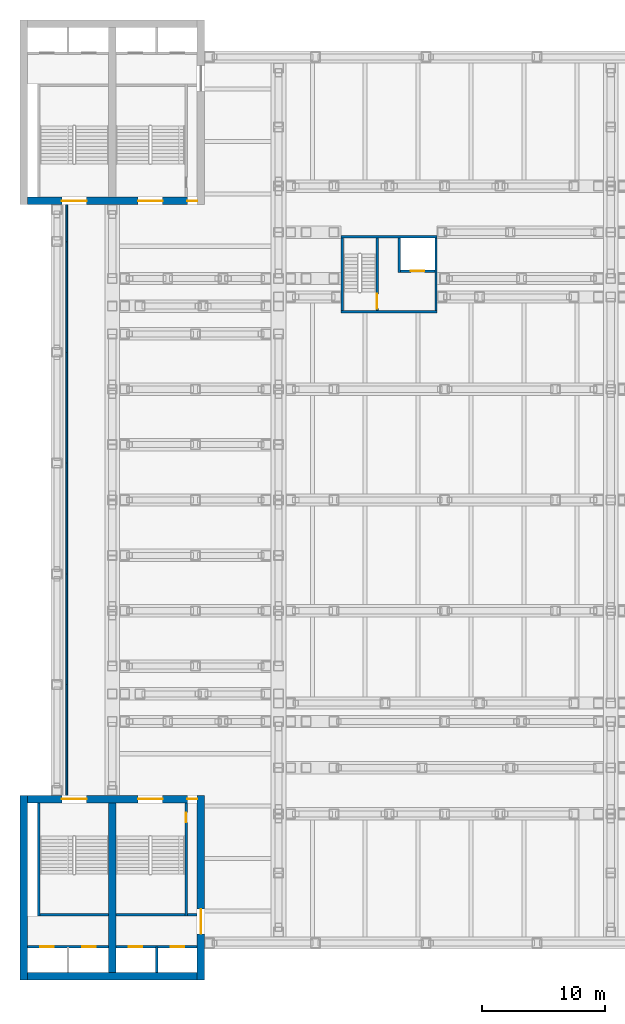
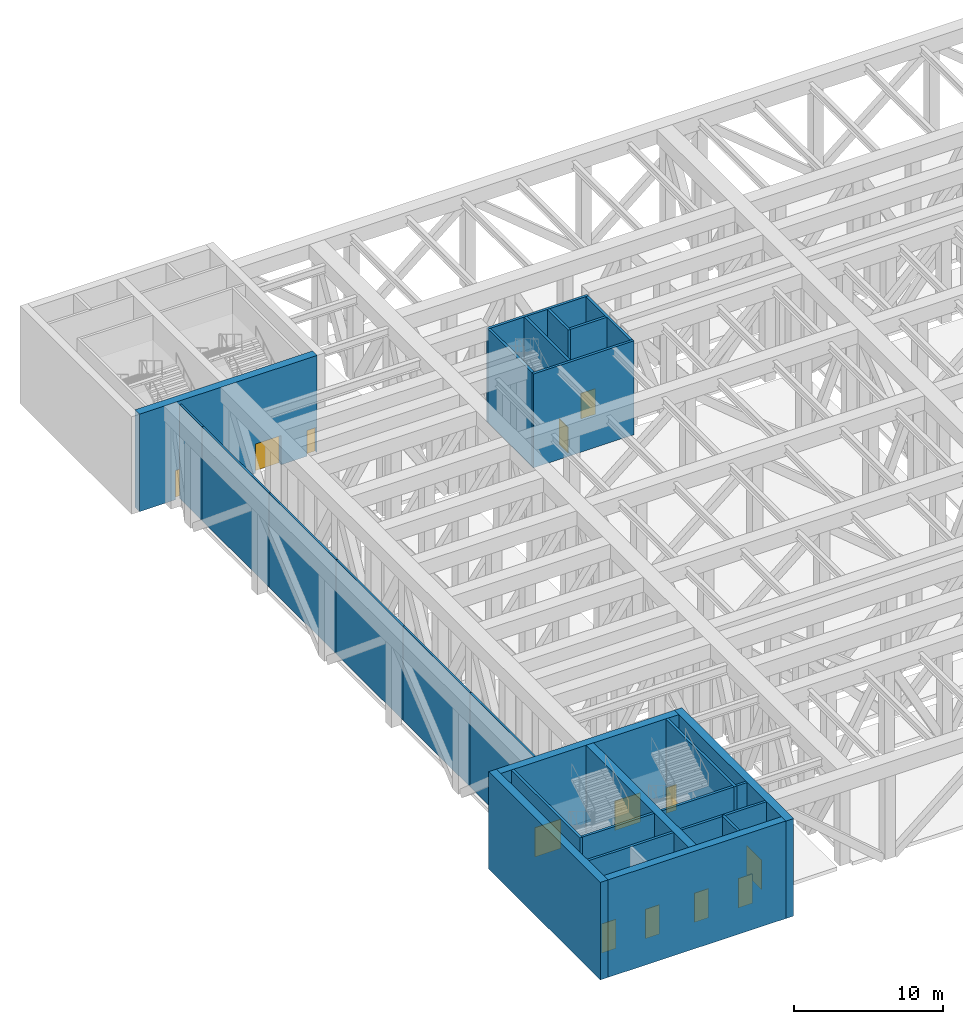
# One storey, part 8 of 20: 27 walls, 14 doors, 14 openings.
"""IFC4 building model written with IfcOpenShell, lengths in metres."""

from ifc_helpers import new_model, si_unit, direction, frame, frame_2d, origin, place, context, subcontext, project, spatial, rectangle, extrude, material, layer, layer_set, type_object, element, fill, save


model = new_model("IFC4")

# Units and contexts
model_context = context("Model", 3, precision=1e-05, world=origin(), true_north=direction((0.0, 1.0)))
body_context = subcontext(model_context, "Body", "Model", "MODEL_VIEW")
ifc_project = project(units=[si_unit("LENGTHUNIT", "METRE"), si_unit("AREAUNIT", "SQUARE_METRE"), si_unit("VOLUMEUNIT", "CUBIC_METRE"), si_unit("PLANEANGLEUNIT", "RADIAN"), si_unit("MASSUNIT", "GRAM", prefix="KILO")], contexts=[model_context])

# Site, building, storey
site_placement = place(None, origin())
site = spatial("IfcSite", under=ifc_project, at=site_placement, CompositionType="ELEMENT")
building_placement = place(site_placement, origin())
building = spatial("IfcBuilding", under=site, at=building_placement, Name="Corbelhall Arena Tower", CompositionType="ELEMENT")
storey_placement = place(building_placement, frame((0.0, 0.0, 44.0)))
storey = spatial("IfcBuildingStorey", under=building, at=storey_placement, Name="L06", CompositionType="ELEMENT", Elevation=44.0)

# Walls
ifc_material_1 = material(Name="Aluminium louvre panels on a steel frame", Category="steel")
ifc_layer_1 = layer(ifc_material_1, 0.14990234375)
ifc_layer_set_1 = layer_set([ifc_layer_1], Name="AR-PLANT-LOUVRE")
wall_type_1 = type_object("IfcWallType", Name="AR-PLANT-LOUVRE", PredefinedType="SOLIDWALL", material=ifc_layer_set_1)
for number, where, z_axis, x_axis, name in (
    (1, (-44.199951171875, -24.0, 0.0), (0.0, 0.0, 1.0), (0.0, 1.0, 0.0), "Plant louvre wall W1"),
    (2, (-44.199951171875, -15.0, 0.0), (0.0, 0.0, 1.0), (0.0, 1.0, 0.0), "Plant louvre wall W2"),
    (3, (-44.199951171875, -6.0, 0.0), (0.0, 0.0, 1.0), (0.0, 1.0, 0.0), "Plant louvre wall W3"),
    (4, (-44.199951171875, 3.0, 0.0), (0.0, 0.0, 1.0), (0.0, 1.0, 0.0), "Plant louvre wall W4"),
    (5, (-44.199951171875, 12.0, 0.0), (0.0, 0.0, 1.0), (0.0, 1.0, 0.0), "Plant louvre wall W5"),
):
    element("IfcWall", number, at=place(storey_placement, frame(where, z_axis=z_axis, x_axis=x_axis)), inside=storey, type_object=wall_type_1, Name=name, PredefinedType="SOLIDWALL", context=body_context, shape_type="SweptSolid", body=[
        extrude(rectangle(XDim=9.0, YDim=0.14990234375, at=frame_2d((4.5, 0.0))), origin(), (0.0, 0.0, 1.0), 7.699951171875),
    ])
wall_1_placement = place(storey_placement, frame((-44.199951171875, 21.0, 0.0), z_axis=(0.0, 0.0, 1.0), x_axis=(0.0, 1.0, 0.0)))
element("IfcWall", 6, at=wall_1_placement, inside=storey, type_object=wall_type_1, Name="Plant louvre wall W6", PredefinedType="SOLIDWALL", context=body_context, shape_type="SweptSolid", body=[
    extrude(rectangle(XDim=3.0, YDim=0.14990234375, at=frame_2d((1.5, 0.0))), origin(), (0.0, 0.0, 1.0), 7.699951171875),
])
ifc_material_2 = material(Name="Gypsum board on steel studs", Category="steel")
ifc_layer_2 = layer(ifc_material_2, 0.199951171875)
ifc_layer_set_2 = layer_set([ifc_layer_2], Name="AR-ROOM-WALL")
wall_type_2 = type_object("IfcWallType", Name="AR-ROOM-WALL", PredefinedType="PARTITIONING", material=ifc_layer_set_2)
wall_2_placement = place(storey_placement, frame((-34.409912109375, -33.699951171875, 0.0), z_axis=(0.0, 0.0, 1.0), x_axis=(1.0, 0.0, 0.0)))
element("IfcWall", 7, at=wall_2_placement, inside=storey, type_object=wall_type_2, Name="Mechanical plant room 04 wall", PredefinedType="PARTITIONING", context=body_context, shape_type="SweptSolid", body=[
    extrude(rectangle(XDim=0.809814453125, YDim=0.199951171875, at=frame_2d((0.40478515625, 0.0))), origin(), (0.0, 0.0, 1.0), 8.0),
])

# Wall, openings, doors
ifc_material_3 = material(Name="Reinforced concrete C40/50", Category="concrete")
ifc_layer_3 = layer(ifc_material_3, 0.199951171875)
ifc_layer_set_3 = layer_set([ifc_layer_3], Name="AR-SHAFT-WALL")
wall_type_3 = type_object("IfcWallType", Name="AR-SHAFT-WALL", PredefinedType="SHEAR", material=ifc_layer_set_3)
wall_3_placement = place(storey_placement, frame((-47.39990234375, -36.300048828125, 0.0), z_axis=(0.0, 0.0, 1.0), x_axis=(1.0, 0.0, 0.0)))
wall_3 = element("IfcWall", 8, at=wall_3_placement, inside=storey, type_object=wall_type_3, Name="Lift lobby wall SW", PredefinedType="SHEAR", context=body_context, shape_type="SweptSolid", body=[
    extrude(rectangle(XDim=6.599853515625, YDim=0.199951171875, at=frame_2d((3.2998046875, 0.0))), origin(), (0.0, 0.0, 1.0), 8.0),
])
opening_1_placement = place(wall_3_placement, frame((1.050048828125, 0.0, 0.0)))
opening_1 = element("IfcOpeningElement", 9, at=opening_1_placement, cuts=wall_3, Name="Opening LD0279", PredefinedType="OPENING", context=body_context, shape_type="SweptSolid", body=[
    extrude(rectangle(XDim=1.10009765625, YDim=2.39990234375, at=frame_2d((0.550048828125, 1.199951171875))), frame((0.0, 0.10009765625, 0.0), z_axis=(0.0, -1.0, 0.0), x_axis=(1.0, 0.0, 0.0)), (0.0, 0.0, 1.0), 0.199951171875),
])
opening_2_placement = place(wall_3_placement, frame((4.449951171875, 0.0, 0.0)))
opening_2 = element("IfcOpeningElement", 10, at=opening_2_placement, cuts=wall_3, Name="Opening LD0280", PredefinedType="OPENING", context=body_context, shape_type="SweptSolid", body=[
    extrude(rectangle(XDim=1.10009765625, YDim=2.39990234375, at=frame_2d((0.550048828125, 1.199951171875))), frame((0.0, 0.10009765625, 0.0), z_axis=(0.0, -1.0, 0.0), x_axis=(1.0, 0.0, 0.0)), (0.0, 0.0, 1.0), 0.199951171875),
])
ifc_material_4 = material(Name="Stainless steel A4", Category="steel")
door_type_1 = type_object("IfcDoorType", Name="AR-LANDING-DOOR", OperationType="DOUBLE_DOOR_SLIDING", PredefinedType="DOOR", material=ifc_material_4)
door_1_placement = place(opening_1_placement, frame((1.10009765625, 0.0, 0.0), z_axis=(0.0, 0.0, 1.0), x_axis=(-1.0, 0.0, 0.0)))
door_1 = element("IfcDoor", 11, at=door_1_placement, inside=storey, type_object=door_type_1, Name="Landing door SW LF3 L06", OperationType="DOUBLE_DOOR_SLIDING", OverallHeight=2.39990234375, OverallWidth=1.10009765625, PredefinedType="DOOR", context=body_context, shape_type="SweptSolid", body=[
    extrude(rectangle(XDim=1.10009765625, YDim=2.39990234375, at=frame_2d((0.550048828125, 1.199951171875))), frame((0.0, 0.02490234375, 0.0), z_axis=(0.0, -1.0, 0.0), x_axis=(1.0, 0.0, 0.0)), (0.0, 0.0, 1.0), 0.050048828125),
])
fill(opening_1, door_1)
door_2_placement = place(opening_2_placement, frame((1.10009765625, 0.0, 0.0), z_axis=(0.0, 0.0, 1.0), x_axis=(-1.0, 0.0, 0.0)))
door_2 = element("IfcDoor", 12, at=door_2_placement, inside=storey, type_object=door_type_1, Name="Landing door SW LF4 L06", OperationType="DOUBLE_DOOR_SLIDING", OverallHeight=2.39990234375, OverallWidth=1.10009765625, PredefinedType="DOOR", context=body_context, shape_type="SweptSolid", body=[
    extrude(rectangle(XDim=1.10009765625, YDim=2.39990234375, at=frame_2d((0.550048828125, 1.199951171875))), frame((0.0, 0.02490234375, 0.0), z_axis=(0.0, -1.0, 0.0), x_axis=(1.0, 0.0, 0.0)), (0.0, 0.0, 1.0), 0.050048828125),
])
fill(opening_2, door_2)

wall_4_placement = place(storey_placement, frame((-40.199951171875, -36.300048828125, 0.0), z_axis=(0.0, 0.0, 1.0), x_axis=(1.0, 0.0, 0.0)))
wall_4 = element("IfcWall", 13, at=wall_4_placement, inside=storey, type_object=wall_type_3, Name="Lift lobby wall SW", PredefinedType="SHEAR", context=body_context, shape_type="SweptSolid", body=[
    extrude(rectangle(XDim=6.599853515625, YDim=0.199951171875, at=frame_2d((3.2998046875, 0.0))), origin(), (0.0, 0.0, 1.0), 8.0),
])
opening_3_placement = place(wall_4_placement, frame((1.050048828125, 0.0, 0.0)))
opening_3 = element("IfcOpeningElement", 14, at=opening_3_placement, cuts=wall_4, Name="Opening LD0281", PredefinedType="OPENING", context=body_context, shape_type="SweptSolid", body=[
    extrude(rectangle(XDim=1.10009765625, YDim=2.39990234375, at=frame_2d((0.550048828125, 1.199951171875))), frame((0.0, 0.10009765625, 0.0), z_axis=(0.0, -1.0, 0.0), x_axis=(1.0, 0.0, 0.0)), (0.0, 0.0, 1.0), 0.199951171875),
])
opening_4_placement = place(wall_4_placement, frame((4.449951171875, 0.0, 0.0)))
opening_4 = element("IfcOpeningElement", 15, at=opening_4_placement, cuts=wall_4, Name="Opening LD0282", PredefinedType="OPENING", context=body_context, shape_type="SweptSolid", body=[
    extrude(rectangle(XDim=1.10009765625, YDim=2.39990234375, at=frame_2d((0.550048828125, 1.199951171875))), frame((0.0, 0.10009765625, 0.0), z_axis=(0.0, -1.0, 0.0), x_axis=(1.0, 0.0, 0.0)), (0.0, 0.0, 1.0), 0.199951171875),
])
door_3_placement = place(opening_3_placement, frame((1.10009765625, 0.0, 0.0), z_axis=(0.0, 0.0, 1.0), x_axis=(-1.0, 0.0, 0.0)))
door_3 = element("IfcDoor", 16, at=door_3_placement, inside=storey, type_object=door_type_1, Name="Landing door SW LF1 L06", OperationType="DOUBLE_DOOR_SLIDING", OverallHeight=2.39990234375, OverallWidth=1.10009765625, PredefinedType="DOOR", context=body_context, shape_type="SweptSolid", body=[
    extrude(rectangle(XDim=1.10009765625, YDim=2.39990234375, at=frame_2d((0.550048828125, 1.199951171875))), frame((0.0, 0.02490234375, 0.0), z_axis=(0.0, -1.0, 0.0), x_axis=(1.0, 0.0, 0.0)), (0.0, 0.0, 1.0), 0.050048828125),
])
fill(opening_3, door_3)
door_4_placement = place(opening_4_placement, frame((1.10009765625, 0.0, 0.0), z_axis=(0.0, 0.0, 1.0), x_axis=(-1.0, 0.0, 0.0)))
door_4 = element("IfcDoor", 17, at=door_4_placement, inside=storey, type_object=door_type_1, Name="Landing door SW LF2 L06", OperationType="DOUBLE_DOOR_SLIDING", OverallHeight=2.39990234375, OverallWidth=1.10009765625, PredefinedType="DOOR", context=body_context, shape_type="SweptSolid", body=[
    extrude(rectangle(XDim=1.10009765625, YDim=2.39990234375, at=frame_2d((0.550048828125, 1.199951171875))), frame((0.0, 0.02490234375, 0.0), z_axis=(0.0, -1.0, 0.0), x_axis=(1.0, 0.0, 0.0)), (0.0, 0.0, 1.0), 0.050048828125),
])
fill(opening_4, door_4)

# Wall
wall_5_placement = place(storey_placement, frame((-36.89990234375, -38.39990234375, 0.0), z_axis=(0.0, 0.0, 1.0), x_axis=(0.0, 1.0, 0.0)))
element("IfcWall", 18, at=wall_5_placement, inside=storey, type_object=wall_type_3, Name="Shaft wall SW", PredefinedType="SHEAR", context=body_context, shape_type="SweptSolid", body=[
    extrude(rectangle(XDim=2.099853515625, YDim=0.199951171875, at=frame_2d((1.0498046875, 0.0))), origin(), (0.0, 0.0, 1.0), 8.0),
])

# Wall, opening, door
ifc_layer_4 = layer(ifc_material_3, 0.199951171875)
ifc_layer_set_4 = layer_set([ifc_layer_4], Name="AR-STAIR-WALL")
wall_type_4 = type_object("IfcWallType", Name="AR-STAIR-WALL", PredefinedType="SOLIDWALL", material=ifc_layer_set_4)
wall_6_placement = place(storey_placement, frame((-34.510009765625, -33.800048828125, 0.0), z_axis=(0.0, 0.0, 1.0), x_axis=(0.0, 1.0, 0.0)))
wall_6 = element("IfcWall", 19, at=wall_6_placement, inside=storey, type_object=wall_type_4, Name="Stair AS7 wall", PredefinedType="SOLIDWALL", context=body_context, shape_type="SweptSolid", body=[
    extrude(rectangle(XDim=9.199951171875, YDim=0.199951171875, at=frame_2d((4.60009765625, 0.0))), origin(), (0.0, 0.0, 1.0), 8.0),
])
opening_5_placement = place(wall_6_placement, frame((7.60009765625, 0.0, 0.0)))
opening_5 = element("IfcOpeningElement", 20, at=opening_5_placement, cuts=wall_6, Name="Opening DA0466", PredefinedType="OPENING", context=body_context, shape_type="SweptSolid", body=[
    extrude(rectangle(XDim=0.800048828125, YDim=2.10009765625, at=frame_2d((0.39990234375, 1.050048828125))), frame((0.0, 0.10009765625, 0.0), z_axis=(0.0, -1.0, 0.0), x_axis=(1.0, 0.0, 0.0)), (0.0, 0.0, 1.0), 0.199951171875),
])
ifc_material_5 = material(Name="Steel", Category="steel")
door_type_2 = type_object("IfcDoorType", Name="AR-PLANT-DOOR", OperationType="SINGLE_SWING_LEFT", PredefinedType="DOOR", material=ifc_material_5)
door_5_placement = place(opening_5_placement, origin())
door_5 = element("IfcDoor", 21, at=door_5_placement, inside=storey, type_object=door_type_2, Name="Mechanical plant room 04 stair door", OperationType="SINGLE_SWING_LEFT", OverallHeight=2.10009765625, OverallWidth=0.800048828125, PredefinedType="DOOR", context=body_context, shape_type="SweptSolid", body=[
    extrude(rectangle(XDim=0.800048828125, YDim=2.10009765625, at=frame_2d((0.39990234375, 1.050048828125))), frame((0.0, 0.02490234375, 0.0), z_axis=(0.0, -1.0, 0.0), x_axis=(1.0, 0.0, 0.0)), (0.0, 0.0, 1.0), 0.050048828125),
])
fill(opening_5, door_5)

# Walls
wall_7_placement = place(storey_placement, frame((-40.199951171875, -33.699951171875, 0.0), z_axis=(0.0, 0.0, 1.0), x_axis=(1.0, 0.0, 0.0)))
element("IfcWall", 22, at=wall_7_placement, inside=storey, type_object=wall_type_4, Name="Stair AS7 wall", PredefinedType="SOLIDWALL", context=body_context, shape_type="SweptSolid", body=[
    extrude(rectangle(XDim=5.58984375, YDim=0.199951171875, at=frame_2d((2.794921875, 0.0))), origin(), (0.0, 0.0, 1.0), 8.0),
])
wall_8_placement = place(storey_placement, frame((-46.489990234375, -33.800048828125, 0.0), z_axis=(0.0, 0.0, 1.0), x_axis=(0.0, 1.0, 0.0)))
element("IfcWall", 23, at=wall_8_placement, inside=storey, type_object=wall_type_4, Name="Stair AS8 wall", PredefinedType="SOLIDWALL", context=body_context, shape_type="SweptSolid", body=[
    extrude(rectangle(XDim=9.199951171875, YDim=0.199951171875, at=frame_2d((4.60009765625, 0.0))), origin(), (0.0, 0.0, 1.0), 8.0),
])
wall_9_placement = place(storey_placement, frame((-46.389892578125, -33.699951171875, 0.0), z_axis=(0.0, 0.0, 1.0), x_axis=(1.0, 0.0, 0.0)))
element("IfcWall", 24, at=wall_9_placement, inside=storey, type_object=wall_type_4, Name="Stair AS8 wall", PredefinedType="SOLIDWALL", context=body_context, shape_type="SweptSolid", body=[
    extrude(rectangle(XDim=5.58984375, YDim=0.199951171875, at=frame_2d((2.794921875, 0.0))), origin(), (0.0, 0.0, 1.0), 8.0),
])
ifc_material_6 = material(Name="Concrete C40/50", Category="concrete")
ifc_layer_5 = layer(ifc_material_6, 0.199951171875)
ifc_layer_set_5 = layer_set([ifc_layer_5], Name="IN-W-EAR200")
wall_type_5 = type_object("IfcWallType", Name="IN-W-EAR200", PredefinedType="SOLIDWALL", material=ifc_layer_set_5)
for number, where, z_axis, x_axis, name in (
    (25, (-21.89990234375, 15.300048828125, 0.0), (0.0, 0.0, 1.0), (1.0, 0.0, 0.0), "Fire service turret wall south"),
    (26, (-21.89990234375, 21.39990234375, 0.0), (0.0, 0.0, 1.0), (1.0, 0.0, 0.0), "Fire service turret wall north"),
):
    element("IfcWall", number, at=place(storey_placement, frame(where, z_axis=z_axis, x_axis=x_axis)), inside=storey, type_object=wall_type_5, Name=name, PredefinedType="SOLIDWALL", context=body_context, shape_type="SweptSolid", body=[
        extrude(rectangle(XDim=7.7998046875, YDim=0.199951171875, at=frame_2d((3.89990234375, 0.0))), origin(), (0.0, 0.0, 1.0), 7.699951171875),
    ])
for number, where, z_axis, x_axis, name in (
    (27, (-21.800048828125, 15.39990234375, 0.0), (0.0, 0.0, 1.0), (0.0, 1.0, 0.0), "Fire service turret wall west"),
    (28, (-14.199951171875, 15.39990234375, 0.0), (0.0, 0.0, 1.0), (0.0, 1.0, 0.0), "Fire service turret wall east"),
):
    element("IfcWall", number, at=place(storey_placement, frame(where, z_axis=z_axis, x_axis=x_axis)), inside=storey, type_object=wall_type_5, Name=name, PredefinedType="SOLIDWALL", context=body_context, shape_type="SweptSolid", body=[
        extrude(rectangle(XDim=5.900146484375, YDim=0.199951171875, at=frame_2d((2.9501953125, 0.0))), origin(), (0.0, 0.0, 1.0), 7.699951171875),
    ])

# Wall, opening, door
wall_10_placement = place(storey_placement, frame((-18.989990234375, 15.39990234375, 0.0), z_axis=(0.0, 0.0, 1.0), x_axis=(0.0, 1.0, 0.0)))
wall_10 = element("IfcWall", 29, at=wall_10_placement, inside=storey, type_object=wall_type_5, Name="Fire service turret wall stair", PredefinedType="SOLIDWALL", context=body_context, shape_type="SweptSolid", body=[
    extrude(rectangle(XDim=5.900146484375, YDim=0.199951171875, at=frame_2d((2.9501953125, 0.0))), origin(), (0.0, 0.0, 1.0), 7.699951171875),
])
opening_6_placement = place(wall_10_placement, frame((0.14990234375, 0.0, 0.0)))
opening_6 = element("IfcOpeningElement", 30, at=opening_6_placement, cuts=wall_10, Name="Opening E061", PredefinedType="OPENING", context=body_context, shape_type="SweptSolid", body=[
    extrude(rectangle(XDim=1.199951171875, YDim=2.10009765625, at=frame_2d((0.60009765625, 1.050048828125))), frame((0.0, 0.10009765625, 0.0), z_axis=(0.0, -1.0, 0.0), x_axis=(1.0, 0.0, 0.0)), (0.0, 0.0, 1.0), 0.199951171875),
])
ifc_material_7 = material(Name="Steel door set", Category="steel")
door_type_3 = type_object("IfcDoorType", Name="IN-D-ST120", OperationType="NOTDEFINED", PredefinedType="DOOR", material=ifc_material_7)
door_6_placement = place(opening_6_placement, origin())
door_6 = element("IfcDoor", 31, at=door_6_placement, inside=storey, type_object=door_type_3, Name="Stair door to fire service lobby", OperationType="SINGLE_SWING_LEFT", OverallHeight=2.10009765625, OverallWidth=1.199951171875, PredefinedType="DOOR", context=body_context, shape_type="SweptSolid", body=[
    extrude(rectangle(XDim=1.199951171875, YDim=2.10009765625, at=frame_2d((0.60009765625, 1.050048828125))), frame((0.0, 0.02490234375, 0.0), z_axis=(0.0, -1.0, 0.0), x_axis=(1.0, 0.0, 0.0)), (0.0, 0.0, 1.0), 0.050048828125),
])
fill(opening_6, door_6)

# Wall
wall_11_placement = place(storey_placement, frame((-17.199951171875, 18.5, 0.0), z_axis=(0.0, 0.0, 1.0), x_axis=(0.0, 1.0, 0.0)))
element("IfcWall", 32, at=wall_11_placement, inside=storey, type_object=wall_type_5, Name="Fire service turret wall hoistway west", PredefinedType="SOLIDWALL", context=body_context, shape_type="SweptSolid", body=[
    extrude(rectangle(XDim=2.800048828125, YDim=0.199951171875, at=frame_2d((1.39990234375, 0.0))), origin(), (0.0, 0.0, 1.0), 7.699951171875),
])

# Wall, opening, door
wall_12_placement = place(storey_placement, frame((-17.10009765625, 18.60009765625, 0.0), z_axis=(0.0, 0.0, 1.0), x_axis=(1.0, 0.0, 0.0)))
wall_12 = element("IfcWall", 33, at=wall_12_placement, inside=storey, type_object=wall_type_5, Name="Fire service turret wall hoistway south", PredefinedType="SOLIDWALL", context=body_context, shape_type="SweptSolid", body=[
    extrude(rectangle(XDim=2.800048828125, YDim=0.199951171875, at=frame_2d((1.39990234375, 0.0))), origin(), (0.0, 0.0, 1.0), 7.699951171875),
])
opening_7_placement = place(wall_12_placement, frame((0.85009765625, 0.0, 0.0)))
opening_7 = element("IfcOpeningElement", 34, at=opening_7_placement, cuts=wall_12, Name="Opening LD", PredefinedType="OPENING", context=body_context, shape_type="SweptSolid", body=[
    extrude(rectangle(XDim=1.10009765625, YDim=2.10009765625, at=frame_2d((0.550048828125, 1.050048828125))), frame((0.0, 0.10009765625, 0.0), z_axis=(0.0, -1.0, 0.0), x_axis=(1.0, 0.0, 0.0)), (0.0, 0.0, 1.0), 0.199951171875),
])
door_type_4 = type_object("IfcDoorType", Name="IN-D-LD110", OperationType="NOTDEFINED", PredefinedType="DOOR", material=ifc_material_7)
door_7_placement = place(opening_7_placement, origin())
door_7 = element("IfcDoor", 35, at=door_7_placement, inside=storey, type_object=door_type_4, Name="Landing door FS1", OperationType="SLIDING_TO_LEFT", OverallHeight=2.10009765625, OverallWidth=1.10009765625, PredefinedType="DOOR", context=body_context, shape_type="SweptSolid", body=[
    extrude(rectangle(XDim=1.10009765625, YDim=2.10009765625, at=frame_2d((0.550048828125, 1.050048828125))), frame((0.0, 0.02490234375, 0.0), z_axis=(0.0, -1.0, 0.0), x_axis=(1.0, 0.0, 0.0)), (0.0, 0.0, 1.0), 0.050048828125),
])
fill(opening_7, door_7)

# Wall, openings, doors
ifc_material_8 = material(Name="Concrete C80/95", Category="concrete")
ifc_layer_6 = layer(ifc_material_8, 0.60009765625)
ifc_layer_set_6 = layer_set([ifc_layer_6], Name="PO-CORE-WALL")
wall_type_6 = type_object("IfcWallType", Name="PO-CORE-WALL", PredefinedType="SHEAR", material=ifc_layer_set_6)
wall_13_placement = place(storey_placement, frame((-47.39990234375, 24.300048828125, 0.0), z_axis=(0.0, 0.0, 1.0), x_axis=(1.0, 0.0, 0.0)))
wall_13 = element("IfcWall", 36, at=wall_13_placement, inside=storey, type_object=wall_type_6, Name="CORE NW WALL S L06", PredefinedType="SHEAR", context=body_context, shape_type="SweptSolid", body=[
    extrude(rectangle(XDim=13.7998046875, YDim=0.60009765625, at=frame_2d((6.89990234375, 0.0))), origin(), (0.0, 0.0, 1.0), 8.0),
])
opening_8_placement = place(wall_13_placement, frame((8.9951171875, 0.0, 0.0)))
opening_8 = element("IfcOpeningElement", 37, at=opening_8_placement, cuts=wall_13, Name="Opening DA0075", PredefinedType="OPENING", context=body_context, shape_type="SweptSolid", body=[
    extrude(rectangle(XDim=2.0, YDim=2.39990234375, at=frame_2d((1.0, 1.199951171875))), frame((0.0, 0.300048828125, 0.0), z_axis=(0.0, -1.0, 0.0), x_axis=(1.0, 0.0, 0.0)), (0.0, 0.0, 1.0), 0.60009765625),
])
opening_9_placement = place(wall_13_placement, frame((2.804931640625, 0.0, 0.0)))
opening_9 = element("IfcOpeningElement", 38, at=opening_9_placement, cuts=wall_13, Name="Opening DA0083", PredefinedType="OPENING", context=body_context, shape_type="SweptSolid", body=[
    extrude(rectangle(XDim=2.0, YDim=2.39990234375, at=frame_2d((1.0, 1.199951171875))), frame((0.0, 0.300048828125, 0.0), z_axis=(0.0, -1.0, 0.0), x_axis=(1.0, 0.0, 0.0)), (0.0, 0.0, 1.0), 0.60009765625),
])
opening_10_placement = place(wall_13_placement, frame((12.9951171875, 0.0, 0.0)))
opening_10 = element("IfcOpeningElement", 39, at=opening_10_placement, cuts=wall_13, Name="Opening DA0461", PredefinedType="OPENING", context=body_context, shape_type="SweptSolid", body=[
    extrude(rectangle(XDim=0.800048828125, YDim=2.10009765625, at=frame_2d((0.39990234375, 1.050048828125))), frame((0.0, 0.300048828125, 0.0), z_axis=(0.0, -1.0, 0.0), x_axis=(1.0, 0.0, 0.0)), (0.0, 0.0, 1.0), 0.60009765625),
])
door_8_placement = place(opening_10_placement, origin())
door_8 = element("IfcDoor", 40, at=door_8_placement, inside=storey, type_object=door_type_2, Name="Mechanical plant room 02 door", OperationType="SINGLE_SWING_LEFT", OverallHeight=2.10009765625, OverallWidth=0.800048828125, PredefinedType="DOOR", context=body_context, shape_type="SweptSolid", body=[
    extrude(rectangle(XDim=0.800048828125, YDim=2.10009765625, at=frame_2d((0.39990234375, 1.050048828125))), frame((0.0, 0.02490234375, 0.0), z_axis=(0.0, -1.0, 0.0), x_axis=(1.0, 0.0, 0.0)), (0.0, 0.0, 1.0), 0.050048828125),
])
fill(opening_10, door_8)
ifc_material_9 = material(Name="Steel and glass", Category="steel")
door_type_5 = type_object("IfcDoorType", Name="AR-STAIR-DOOR", OperationType="DOUBLE_DOOR_SINGLE_SWING", PredefinedType="DOOR", material=ifc_material_9)
door_9_placement = place(opening_8_placement, origin())
door_9 = element("IfcDoor", 41, at=door_9_placement, inside=storey, type_object=door_type_5, Name="Stair AS3 door", OperationType="DOUBLE_DOOR_SINGLE_SWING", OverallHeight=2.39990234375, OverallWidth=2.0, PredefinedType="DOOR", context=body_context, shape_type="SweptSolid", body=[
    extrude(rectangle(XDim=2.0, YDim=2.39990234375, at=frame_2d((1.0, 1.199951171875))), frame((0.0, 0.02490234375, 0.0), z_axis=(0.0, -1.0, 0.0), x_axis=(1.0, 0.0, 0.0)), (0.0, 0.0, 1.0), 0.050048828125),
])
fill(opening_8, door_9)
door_10_placement = place(opening_9_placement, origin())
door_10 = element("IfcDoor", 42, at=door_10_placement, inside=storey, type_object=door_type_5, Name="Stair AS4 door", OperationType="DOUBLE_DOOR_SINGLE_SWING", OverallHeight=2.39990234375, OverallWidth=2.0, PredefinedType="DOOR", context=body_context, shape_type="SweptSolid", body=[
    extrude(rectangle(XDim=2.0, YDim=2.39990234375, at=frame_2d((1.0, 1.199951171875))), frame((0.0, 0.02490234375, 0.0), z_axis=(0.0, -1.0, 0.0), x_axis=(1.0, 0.0, 0.0)), (0.0, 0.0, 1.0), 0.050048828125),
])
fill(opening_9, door_10)

wall_14_placement = place(storey_placement, frame((-47.39990234375, -24.300048828125, 0.0), z_axis=(0.0, 0.0, 1.0), x_axis=(1.0, 0.0, 0.0)))
wall_14 = element("IfcWall", 43, at=wall_14_placement, inside=storey, type_object=wall_type_6, Name="CORE SW WALL N L06", PredefinedType="SHEAR", context=body_context, shape_type="SweptSolid", body=[
    extrude(rectangle(XDim=13.7998046875, YDim=0.60009765625, at=frame_2d((6.89990234375, 0.0))), origin(), (0.0, 0.0, 1.0), 8.0),
])
opening_11_placement = place(wall_14_placement, frame((8.9951171875, 0.0, 0.0)))
opening_11 = element("IfcOpeningElement", 44, at=opening_11_placement, cuts=wall_14, Name="Opening DA0107", PredefinedType="OPENING", context=body_context, shape_type="SweptSolid", body=[
    extrude(rectangle(XDim=2.0, YDim=2.39990234375, at=frame_2d((1.0, 1.199951171875))), frame((0.0, 0.300048828125, 0.0), z_axis=(0.0, -1.0, 0.0), x_axis=(1.0, 0.0, 0.0)), (0.0, 0.0, 1.0), 0.60009765625),
])
opening_12_placement = place(wall_14_placement, frame((2.804931640625, 0.0, 0.0)))
opening_12 = element("IfcOpeningElement", 45, at=opening_12_placement, cuts=wall_14, Name="Opening DA0115", PredefinedType="OPENING", context=body_context, shape_type="SweptSolid", body=[
    extrude(rectangle(XDim=2.0, YDim=2.39990234375, at=frame_2d((1.0, 1.199951171875))), frame((0.0, 0.300048828125, 0.0), z_axis=(0.0, -1.0, 0.0), x_axis=(1.0, 0.0, 0.0)), (0.0, 0.0, 1.0), 0.60009765625),
])
opening_13_placement = place(wall_14_placement, frame((12.9951171875, 0.0, 0.0)))
opening_13 = element("IfcOpeningElement", 46, at=opening_13_placement, cuts=wall_14, Name="Opening DA0465", PredefinedType="OPENING", context=body_context, shape_type="SweptSolid", body=[
    extrude(rectangle(XDim=0.800048828125, YDim=2.10009765625, at=frame_2d((0.39990234375, 1.050048828125))), frame((0.0, 0.300048828125, 0.0), z_axis=(0.0, -1.0, 0.0), x_axis=(1.0, 0.0, 0.0)), (0.0, 0.0, 1.0), 0.60009765625),
])
door_11_placement = place(opening_13_placement, origin())
door_11 = element("IfcDoor", 47, at=door_11_placement, inside=storey, type_object=door_type_2, Name="Mechanical plant room 04 door", OperationType="SINGLE_SWING_LEFT", OverallHeight=2.10009765625, OverallWidth=0.800048828125, PredefinedType="DOOR", context=body_context, shape_type="SweptSolid", body=[
    extrude(rectangle(XDim=0.800048828125, YDim=2.10009765625, at=frame_2d((0.39990234375, 1.050048828125))), frame((0.0, 0.02490234375, 0.0), z_axis=(0.0, -1.0, 0.0), x_axis=(1.0, 0.0, 0.0)), (0.0, 0.0, 1.0), 0.050048828125),
])
fill(opening_13, door_11)
door_12_placement = place(opening_11_placement, frame((2.0, 0.0, 0.0), z_axis=(0.0, 0.0, 1.0), x_axis=(-1.0, 0.0, 0.0)))
door_12 = element("IfcDoor", 48, at=door_12_placement, inside=storey, type_object=door_type_5, Name="Stair AS7 door", OperationType="DOUBLE_DOOR_SINGLE_SWING", OverallHeight=2.39990234375, OverallWidth=2.0, PredefinedType="DOOR", context=body_context, shape_type="SweptSolid", body=[
    extrude(rectangle(XDim=2.0, YDim=2.39990234375, at=frame_2d((1.0, 1.199951171875))), frame((0.0, 0.02490234375, 0.0), z_axis=(0.0, -1.0, 0.0), x_axis=(1.0, 0.0, 0.0)), (0.0, 0.0, 1.0), 0.050048828125),
])
fill(opening_11, door_12)
door_13_placement = place(opening_12_placement, frame((2.0, 0.0, 0.0), z_axis=(0.0, 0.0, 1.0), x_axis=(-1.0, 0.0, 0.0)))
door_13 = element("IfcDoor", 49, at=door_13_placement, inside=storey, type_object=door_type_5, Name="Stair AS8 door", OperationType="DOUBLE_DOOR_SINGLE_SWING", OverallHeight=2.39990234375, OverallWidth=2.0, PredefinedType="DOOR", context=body_context, shape_type="SweptSolid", body=[
    extrude(rectangle(XDim=2.0, YDim=2.39990234375, at=frame_2d((1.0, 1.199951171875))), frame((0.0, 0.02490234375, 0.0), z_axis=(0.0, -1.0, 0.0), x_axis=(1.0, 0.0, 0.0)), (0.0, 0.0, 1.0), 0.050048828125),
])
fill(opening_12, door_13)

# Walls
wall_15_placement = place(storey_placement, frame((-47.39990234375, -38.699951171875, 0.0), z_axis=(0.0, 0.0, 1.0), x_axis=(1.0, 0.0, 0.0)))
element("IfcWall", 50, at=wall_15_placement, inside=storey, type_object=wall_type_6, Name="CORE SW WALL S L06", PredefinedType="SHEAR", context=body_context, shape_type="SweptSolid", body=[
    extrude(rectangle(XDim=13.7998046875, YDim=0.60009765625, at=frame_2d((6.89990234375, 0.0))), origin(), (0.0, 0.0, 1.0), 8.0),
])
wall_16_placement = place(storey_placement, frame((-47.699951171875, -39.0, 0.0), z_axis=(0.0, 0.0, 1.0), x_axis=(0.0, 1.0, 0.0)))
element("IfcWall", 51, at=wall_16_placement, inside=storey, type_object=wall_type_6, Name="CORE SW WALL W L06", PredefinedType="SHEAR", context=body_context, shape_type="SweptSolid", body=[
    extrude(rectangle(XDim=15.0, YDim=0.60009765625, at=frame_2d((7.5, 0.0))), origin(), (0.0, 0.0, 1.0), 8.0),
])

# Wall, opening, door
wall_17_placement = place(storey_placement, frame((-33.300048828125, -39.0, 0.0), z_axis=(0.0, 0.0, 1.0), x_axis=(0.0, 1.0, 0.0)))
wall_17 = element("IfcWall", 52, at=wall_17_placement, inside=storey, type_object=wall_type_6, Name="CORE SW WALL E L06", PredefinedType="SHEAR", context=body_context, shape_type="SweptSolid", body=[
    extrude(rectangle(XDim=15.0, YDim=0.60009765625, at=frame_2d((7.5, 0.0))), origin(), (0.0, 0.0, 1.0), 8.0),
])
opening_14_placement = place(wall_17_placement, frame((3.75, 0.0, 0.0)))
opening_14 = element("IfcOpeningElement", 53, at=opening_14_placement, cuts=wall_17, Name="Opening DA0283", PredefinedType="OPENING", context=body_context, shape_type="SweptSolid", body=[
    extrude(rectangle(XDim=2.0, YDim=2.39990234375, at=frame_2d((1.0, 1.199951171875))), frame((0.0, 0.300048828125, 0.0), z_axis=(0.0, -1.0, 0.0), x_axis=(1.0, 0.0, 0.0)), (0.0, 0.0, 1.0), 0.60009765625),
])
door_type_6 = type_object("IfcDoorType", Name="AR-CORE-DOOR", OperationType="DOUBLE_DOOR_SINGLE_SWING", PredefinedType="DOOR", material=ifc_material_9)
door_14_placement = place(opening_14_placement, origin())
door_14 = element("IfcDoor", 54, at=door_14_placement, inside=storey, type_object=door_type_6, Name="Core lobby door SW L06", OperationType="DOUBLE_DOOR_SINGLE_SWING", OverallHeight=2.39990234375, OverallWidth=2.0, PredefinedType="DOOR", context=body_context, shape_type="SweptSolid", body=[
    extrude(rectangle(XDim=2.0, YDim=2.39990234375, at=frame_2d((1.0, 1.199951171875))), frame((0.0, 0.02490234375, 0.0), z_axis=(0.0, -1.0, 0.0), x_axis=(1.0, 0.0, 0.0)), (0.0, 0.0, 1.0), 0.050048828125),
])
fill(opening_14, door_14)

# Wall
wall_18_placement = place(storey_placement, frame((-40.5, -38.39990234375, 0.0), z_axis=(0.0, 0.0, 1.0), x_axis=(0.0, 1.0, 0.0)))
element("IfcWall", 55, at=wall_18_placement, inside=storey, type_object=wall_type_6, Name="CORE SW WALL D L06", PredefinedType="SHEAR", context=body_context, shape_type="SweptSolid", body=[
    extrude(rectangle(XDim=13.7998046875, YDim=0.60009765625, at=frame_2d((6.89990234375, 0.0))), origin(), (0.0, 0.0, 1.0), 8.0),
])

save(model, "model.ifc")
